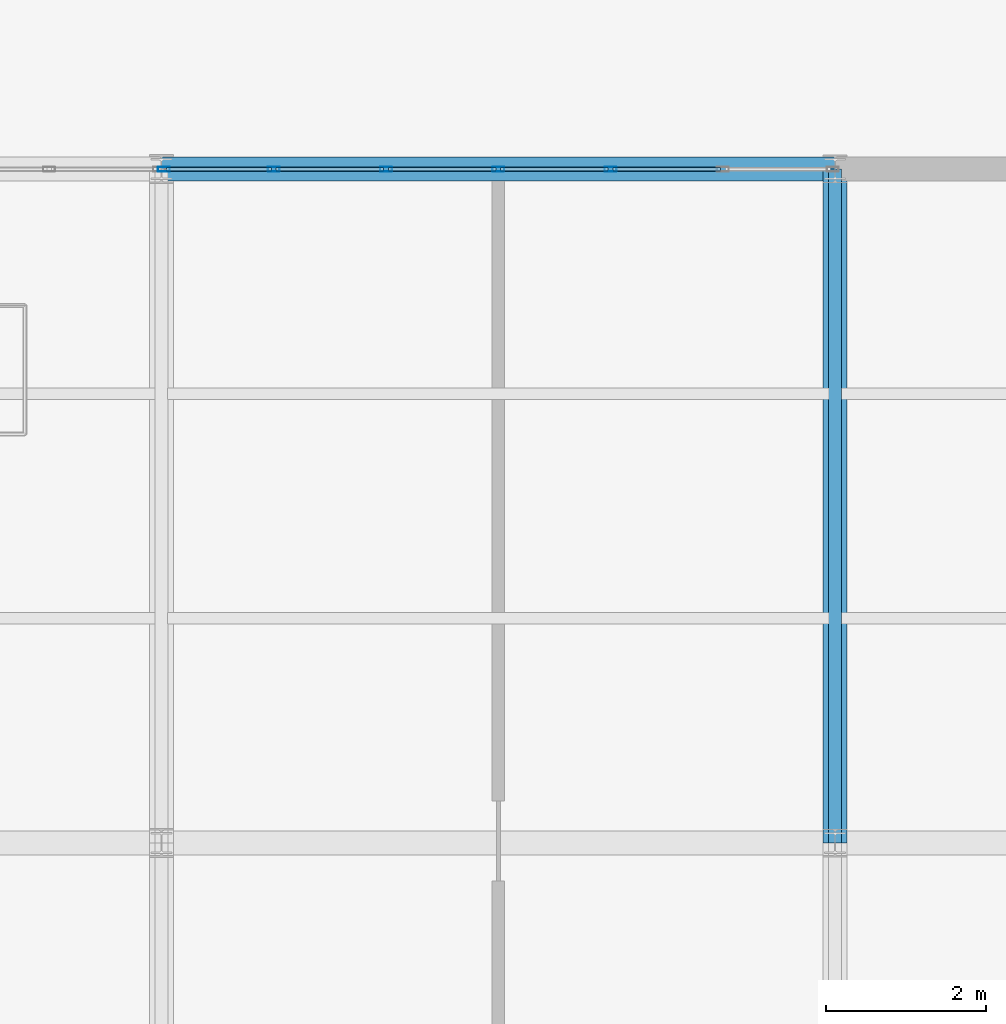
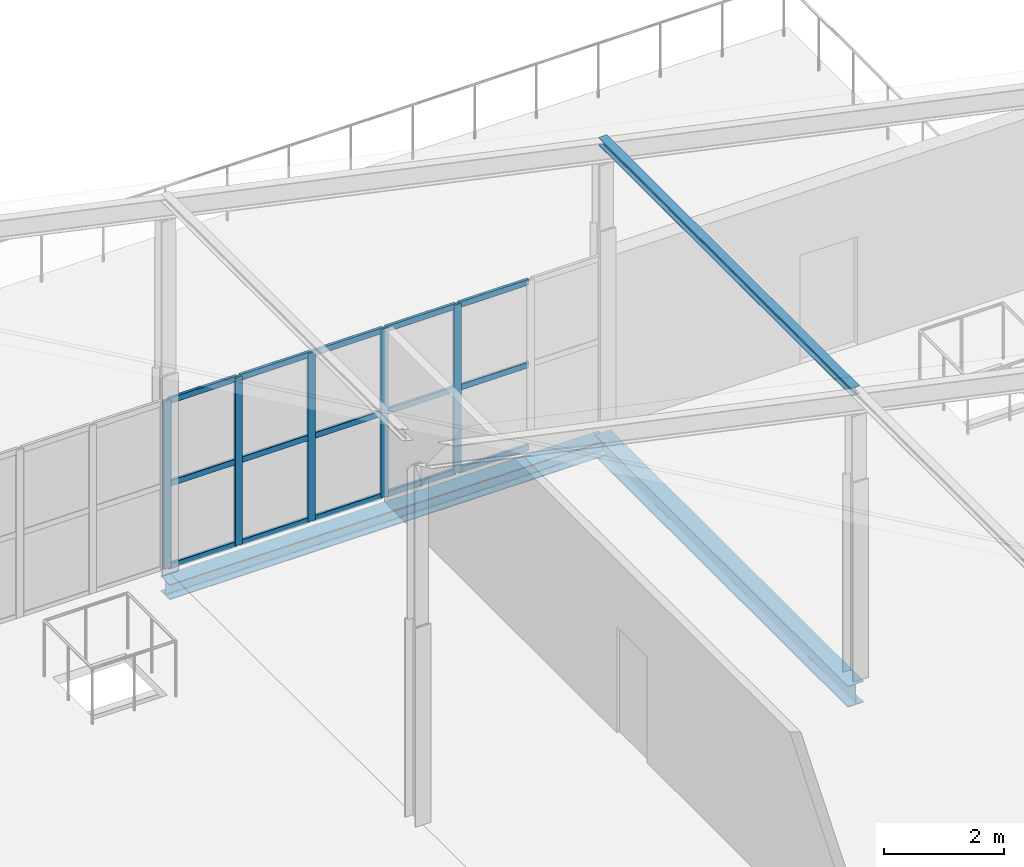
# One storey, part 111 of 184: 21 members, 2 beams, 1 element without a shape of its own.
"""IFC4 building model written with IfcOpenShell, lengths in metres."""

from ifc_helpers import new_model, si_unit, direction, frame, origin, origin_2d, place, context, subcontext, project, spatial, hollow_rectangle, i_section, extrude, material, layer, layer_set, material_profile, profile_set, type_object, element, aggregate, save


model = new_model("IFC4")

# Units and contexts
model_context = context("Model", 3, precision=1e-05, world=origin(), true_north=direction((0.0, 1.0)))
body_context = subcontext(model_context, "Body", "Model", "MODEL_VIEW")
ifc_project = project(units=[si_unit("LENGTHUNIT", "METRE"), si_unit("AREAUNIT", "SQUARE_METRE"), si_unit("VOLUMEUNIT", "CUBIC_METRE"), si_unit("PLANEANGLEUNIT", "RADIAN"), si_unit("MASSUNIT", "GRAM", prefix="KILO")], contexts=[model_context])

# Site, building, storey
site_placement = place(None, origin())
site = spatial("IfcSite", under=ifc_project, at=site_placement, CompositionType="ELEMENT")
building_placement = place(site_placement, origin())
building = spatial("IfcBuilding", under=site, at=building_placement, Name="Qalvenar Corner Mobility Hub", CompositionType="ELEMENT")
storey_placement = place(building_placement, frame((0.0, 0.0, 9.0)))
storey = spatial("IfcBuildingStorey", under=building, at=storey_placement, Name="L02", CompositionType="ELEMENT", Elevation=9.0)

# Beams
ifc_material_1 = material(Name="Steel S355", Category="steel")
ifc_material_profile_1 = material_profile(ifc_material_1, i_section(OverallWidth=0.300048828125, OverallDepth=0.43994140625, WebThickness=0.011474609375, FlangeThickness=0.02099609375, FilletRadius=0.027099609375, at=origin_2d()), Name="HEA450")
ifc_profile_set_1 = profile_set([ifc_material_profile_1], Name="Steel S355")
beam_type_1 = type_object("IfcBeamType", Name="BM-HEA450", PredefinedType="BEAM", material=ifc_profile_set_1)
beam_1_placement = place(storey_placement, frame((25.199951171875, 75.60009765625, -0.39990234375), z_axis=(0.0, 1.0, 0.0), x_axis=(-1.0, 0.0, 0.0)))
element("IfcBeam", 1, at=beam_1_placement, inside=storey, type_object=beam_type_1, Name="Primary Steel Girder GY-1858", PredefinedType="BEAM", context=body_context, shape_type="SweptSolid", body=[
    extrude(i_section(OverallWidth=0.300048828125, OverallDepth=0.43994140625, WebThickness=0.011474609375, FlangeThickness=0.02099609375, FilletRadius=0.027099609375, at=origin_2d()), origin(), (0.0, 0.0, 1.0), 8.39990234375),
])
ifc_material_profile_2 = material_profile(ifc_material_1, i_section(OverallWidth=0.300048828125, OverallDepth=0.31005859375, WebThickness=0.009033203125, FlangeThickness=0.015380859375, FilletRadius=0.027099609375, at=origin_2d()), Name="HEA320")
ifc_profile_set_2 = profile_set([ifc_material_profile_2], Name="Steel S355")
beam_type_2 = type_object("IfcBeamType", Name="BM-SPN320", PredefinedType="SPANDREL", material=ifc_profile_set_2)
beam_2_placement = place(storey_placement, frame((16.800048828125, 84.0, -0.39697265625), z_axis=(1.0, 0.0, 0.0), x_axis=(0.0, 1.0, 0.0)))
element("IfcBeam", 2, at=beam_2_placement, inside=storey, type_object=beam_type_2, Name="Primary Steel Girder GX-1837", PredefinedType="SPANDREL", context=body_context, shape_type="SweptSolid", body=[
    extrude(i_section(OverallWidth=0.300048828125, OverallDepth=0.31005859375, WebThickness=0.009033203125, FlangeThickness=0.015380859375, FilletRadius=0.027099609375, at=origin_2d()), origin(), (0.0, 0.0, 1.0), 8.39990234375),
])

# Curtain wall, members
ifc_material_2 = material(Name="Anodised Aluminium and Low-E Glazing", Category="aluminium")
ifc_layer = layer(ifc_material_2, 0.14990234375)
ifc_layer_set = layer_set([ifc_layer], Name="Anodised Aluminium and Low-E Glazing")
curtain_wall_type = type_object("IfcCurtainWallType", Name="CW-CYC-84X39", PredefinedType="NOTDEFINED", material=ifc_layer_set)
curtain_wall_placement = place(storey_placement, origin())
curtain_wall = element("IfcCurtainWall", 3, at=curtain_wall_placement, inside=storey, type_object=curtain_wall_type, Name="Glazed Curtain Wall CW-V5-L02-N2", PredefinedType="NOTDEFINED")
ifc_material_3 = material(Name="Anodised Aluminium 6063-T6", Category="aluminium")
ifc_material_profile_3 = material_profile(ifc_material_3, hollow_rectangle(XDim=0.06005859375, YDim=0.14990234375, WallThickness=0.00390625, InnerFilletRadius=0.00390625, OuterFilletRadius=0.008056640625, at=origin_2d()), Name="RHS150x60x4")
ifc_profile_set_3 = profile_set([ifc_material_profile_3], Name="Anodised Aluminium 6063-T6")
member_type_1 = type_object("IfcMemberType", Name="CW-MUL150", PredefinedType="MULLION", material=ifc_profile_set_3)
member_1_placement = place(storey_placement, frame((22.39990234375, 84.0, 0.0), z_axis=(0.0, 0.0, 1.0), x_axis=(0.0, -1.0, 0.0)))
member_1 = element("IfcMember", 4, at=member_1_placement, type_object=member_type_1, Name="CW-08 mullion 3", PredefinedType="MULLION", context=body_context, shape_type="SweptSolid", body=[
    extrude(hollow_rectangle(XDim=0.06005859375, YDim=0.14990234375, WallThickness=0.00390625, InnerFilletRadius=0.00390625, OuterFilletRadius=0.008056640625, at=origin_2d()), origin(), (0.0, 0.0, 1.0), 3.409912109375),
])
member_2_placement = place(storey_placement, frame((21.0, 84.0, 0.0), z_axis=(0.0, 0.0, 1.0), x_axis=(0.0, -1.0, 0.0)))
member_2 = element("IfcMember", 5, at=member_2_placement, type_object=member_type_1, Name="CW-08 mullion 4", PredefinedType="MULLION", context=body_context, shape_type="SweptSolid", body=[
    extrude(hollow_rectangle(XDim=0.06005859375, YDim=0.14990234375, WallThickness=0.00390625, InnerFilletRadius=0.00390625, OuterFilletRadius=0.008056640625, at=origin_2d()), origin(), (0.0, 0.0, 1.0), 3.409912109375),
])
member_3_placement = place(storey_placement, frame((19.60009765625, 84.0, 0.0), z_axis=(0.0, 0.0, 1.0), x_axis=(0.0, -1.0, 0.0)))
member_3 = element("IfcMember", 6, at=member_3_placement, type_object=member_type_1, Name="CW-08 mullion 5", PredefinedType="MULLION", context=body_context, shape_type="SweptSolid", body=[
    extrude(hollow_rectangle(XDim=0.06005859375, YDim=0.14990234375, WallThickness=0.00390625, InnerFilletRadius=0.00390625, OuterFilletRadius=0.008056640625, at=origin_2d()), origin(), (0.0, 0.0, 1.0), 3.409912109375),
])
member_4_placement = place(storey_placement, frame((18.199951171875, 84.0, 0.0), z_axis=(0.0, 0.0, 1.0), x_axis=(0.0, -1.0, 0.0)))
member_4 = element("IfcMember", 7, at=member_4_placement, type_object=member_type_1, Name="CW-08 mullion 6", PredefinedType="MULLION", context=body_context, shape_type="SweptSolid", body=[
    extrude(hollow_rectangle(XDim=0.06005859375, YDim=0.14990234375, WallThickness=0.00390625, InnerFilletRadius=0.00390625, OuterFilletRadius=0.008056640625, at=origin_2d()), origin(), (0.0, 0.0, 1.0), 3.409912109375),
])
member_5_placement = place(storey_placement, frame((16.830078125, 84.0, 0.0), z_axis=(0.0, 0.0, 1.0), x_axis=(0.0, -1.0, 0.0)))
member_5 = element("IfcMember", 8, at=member_5_placement, type_object=member_type_1, Name="CW-08 mullion 7", PredefinedType="MULLION", context=body_context, shape_type="SweptSolid", body=[
    extrude(hollow_rectangle(XDim=0.06005859375, YDim=0.14990234375, WallThickness=0.00390625, InnerFilletRadius=0.00390625, OuterFilletRadius=0.008056640625, at=origin_2d()), origin(), (0.0, 0.0, 1.0), 3.409912109375),
])
ifc_material_profile_4 = material_profile(ifc_material_3, hollow_rectangle(XDim=0.054931640625, YDim=0.1201171875, WallThickness=0.00341796875, InnerFilletRadius=0.00341796875, OuterFilletRadius=0.007080078125, at=origin_2d()), Name="RHS120x55x3.5")
ifc_profile_set_4 = profile_set([ifc_material_profile_4], Name="Anodised Aluminium 6063-T6")
member_type_2 = type_object("IfcMemberType", Name="CW-TRN120", PredefinedType="USERDEFINED", material=ifc_profile_set_4)
member_6_placement = place(storey_placement, frame((23.77001953125, 84.0, 0.027587890625), z_axis=(-1.0, 0.0, 0.0), x_axis=(0.0, -1.0, 0.0)))
member_6 = element("IfcMember", 9, at=member_6_placement, type_object=member_type_2, Name="CW-08 transom 2.1", ObjectType="TRANSOM", PredefinedType="USERDEFINED", context=body_context, shape_type="SweptSolid", body=[
    extrude(hollow_rectangle(XDim=0.054931640625, YDim=0.1201171875, WallThickness=0.00341796875, InnerFilletRadius=0.00341796875, OuterFilletRadius=0.007080078125, at=origin_2d()), origin(), (0.0, 0.0, 1.0), 1.340087890625),
])
member_7_placement = place(storey_placement, frame((23.77001953125, 84.0, 1.705078125), z_axis=(-1.0, 0.0, 0.0), x_axis=(0.0, -1.0, 0.0)))
member_7 = element("IfcMember", 10, at=member_7_placement, type_object=member_type_2, Name="CW-08 transom 2.2", ObjectType="TRANSOM", PredefinedType="USERDEFINED", context=body_context, shape_type="SweptSolid", body=[
    extrude(hollow_rectangle(XDim=0.054931640625, YDim=0.1201171875, WallThickness=0.00341796875, InnerFilletRadius=0.00341796875, OuterFilletRadius=0.007080078125, at=origin_2d()), origin(), (0.0, 0.0, 1.0), 1.340087890625),
])
member_8_placement = place(storey_placement, frame((23.77001953125, 84.0, 3.382568359375), z_axis=(-1.0, 0.0, 0.0), x_axis=(0.0, -1.0, 0.0)))
member_8 = element("IfcMember", 11, at=member_8_placement, type_object=member_type_2, Name="CW-08 transom 2.3", ObjectType="TRANSOM", PredefinedType="USERDEFINED", context=body_context, shape_type="SweptSolid", body=[
    extrude(hollow_rectangle(XDim=0.054931640625, YDim=0.1201171875, WallThickness=0.00341796875, InnerFilletRadius=0.00341796875, OuterFilletRadius=0.007080078125, at=origin_2d()), origin(), (0.0, 0.0, 1.0), 1.340087890625),
])
member_9_placement = place(storey_placement, frame((22.3701171875, 84.0, 0.027587890625), z_axis=(-1.0, 0.0, 0.0), x_axis=(0.0, -1.0, 0.0)))
member_9 = element("IfcMember", 12, at=member_9_placement, type_object=member_type_2, Name="CW-08 transom 3.1", ObjectType="TRANSOM", PredefinedType="USERDEFINED", context=body_context, shape_type="SweptSolid", body=[
    extrude(hollow_rectangle(XDim=0.054931640625, YDim=0.1201171875, WallThickness=0.00341796875, InnerFilletRadius=0.00341796875, OuterFilletRadius=0.007080078125, at=origin_2d()), origin(), (0.0, 0.0, 1.0), 1.340087890625),
])
member_10_placement = place(storey_placement, frame((22.3701171875, 84.0, 1.705078125), z_axis=(-1.0, 0.0, 0.0), x_axis=(0.0, -1.0, 0.0)))
member_10 = element("IfcMember", 13, at=member_10_placement, type_object=member_type_2, Name="CW-08 transom 3.2", ObjectType="TRANSOM", PredefinedType="USERDEFINED", context=body_context, shape_type="SweptSolid", body=[
    extrude(hollow_rectangle(XDim=0.054931640625, YDim=0.1201171875, WallThickness=0.00341796875, InnerFilletRadius=0.00341796875, OuterFilletRadius=0.007080078125, at=origin_2d()), origin(), (0.0, 0.0, 1.0), 1.340087890625),
])
member_11_placement = place(storey_placement, frame((22.3701171875, 84.0, 3.382568359375), z_axis=(-1.0, 0.0, 0.0), x_axis=(0.0, -1.0, 0.0)))
member_11 = element("IfcMember", 14, at=member_11_placement, type_object=member_type_2, Name="CW-08 transom 3.3", ObjectType="TRANSOM", PredefinedType="USERDEFINED", context=body_context, shape_type="SweptSolid", body=[
    extrude(hollow_rectangle(XDim=0.054931640625, YDim=0.1201171875, WallThickness=0.00341796875, InnerFilletRadius=0.00341796875, OuterFilletRadius=0.007080078125, at=origin_2d()), origin(), (0.0, 0.0, 1.0), 1.340087890625),
])
member_12_placement = place(storey_placement, frame((20.969970703125, 84.0, 0.027587890625), z_axis=(-1.0, 0.0, 0.0), x_axis=(0.0, -1.0, 0.0)))
member_12 = element("IfcMember", 15, at=member_12_placement, type_object=member_type_2, Name="CW-08 transom 4.1", ObjectType="TRANSOM", PredefinedType="USERDEFINED", context=body_context, shape_type="SweptSolid", body=[
    extrude(hollow_rectangle(XDim=0.054931640625, YDim=0.1201171875, WallThickness=0.00341796875, InnerFilletRadius=0.00341796875, OuterFilletRadius=0.007080078125, at=origin_2d()), origin(), (0.0, 0.0, 1.0), 1.340087890625),
])
member_13_placement = place(storey_placement, frame((20.969970703125, 84.0, 1.705078125), z_axis=(-1.0, 0.0, 0.0), x_axis=(0.0, -1.0, 0.0)))
member_13 = element("IfcMember", 16, at=member_13_placement, type_object=member_type_2, Name="CW-08 transom 4.2", ObjectType="TRANSOM", PredefinedType="USERDEFINED", context=body_context, shape_type="SweptSolid", body=[
    extrude(hollow_rectangle(XDim=0.054931640625, YDim=0.1201171875, WallThickness=0.00341796875, InnerFilletRadius=0.00341796875, OuterFilletRadius=0.007080078125, at=origin_2d()), origin(), (0.0, 0.0, 1.0), 1.340087890625),
])
member_14_placement = place(storey_placement, frame((20.969970703125, 84.0, 3.382568359375), z_axis=(-1.0, 0.0, 0.0), x_axis=(0.0, -1.0, 0.0)))
member_14 = element("IfcMember", 17, at=member_14_placement, type_object=member_type_2, Name="CW-08 transom 4.3", ObjectType="TRANSOM", PredefinedType="USERDEFINED", context=body_context, shape_type="SweptSolid", body=[
    extrude(hollow_rectangle(XDim=0.054931640625, YDim=0.1201171875, WallThickness=0.00341796875, InnerFilletRadius=0.00341796875, OuterFilletRadius=0.007080078125, at=origin_2d()), origin(), (0.0, 0.0, 1.0), 1.340087890625),
])
member_15_placement = place(storey_placement, frame((19.570068359375, 84.0, 0.027587890625), z_axis=(-1.0, 0.0, 0.0), x_axis=(0.0, -1.0, 0.0)))
member_15 = element("IfcMember", 18, at=member_15_placement, type_object=member_type_2, Name="CW-08 transom 5.1", ObjectType="TRANSOM", PredefinedType="USERDEFINED", context=body_context, shape_type="SweptSolid", body=[
    extrude(hollow_rectangle(XDim=0.054931640625, YDim=0.1201171875, WallThickness=0.00341796875, InnerFilletRadius=0.00341796875, OuterFilletRadius=0.007080078125, at=origin_2d()), origin(), (0.0, 0.0, 1.0), 1.340087890625),
])
member_16_placement = place(storey_placement, frame((19.570068359375, 84.0, 1.705078125), z_axis=(-1.0, 0.0, 0.0), x_axis=(0.0, -1.0, 0.0)))
member_16 = element("IfcMember", 19, at=member_16_placement, type_object=member_type_2, Name="CW-08 transom 5.2", ObjectType="TRANSOM", PredefinedType="USERDEFINED", context=body_context, shape_type="SweptSolid", body=[
    extrude(hollow_rectangle(XDim=0.054931640625, YDim=0.1201171875, WallThickness=0.00341796875, InnerFilletRadius=0.00341796875, OuterFilletRadius=0.007080078125, at=origin_2d()), origin(), (0.0, 0.0, 1.0), 1.340087890625),
])
member_17_placement = place(storey_placement, frame((19.570068359375, 84.0, 3.382568359375), z_axis=(-1.0, 0.0, 0.0), x_axis=(0.0, -1.0, 0.0)))
member_17 = element("IfcMember", 20, at=member_17_placement, type_object=member_type_2, Name="CW-08 transom 5.3", ObjectType="TRANSOM", PredefinedType="USERDEFINED", context=body_context, shape_type="SweptSolid", body=[
    extrude(hollow_rectangle(XDim=0.054931640625, YDim=0.1201171875, WallThickness=0.00341796875, InnerFilletRadius=0.00341796875, OuterFilletRadius=0.007080078125, at=origin_2d()), origin(), (0.0, 0.0, 1.0), 1.340087890625),
])
member_18_placement = place(storey_placement, frame((18.169921875, 84.0, 0.027587890625), z_axis=(-1.0, 0.0, 0.0), x_axis=(0.0, -1.0, 0.0)))
member_18 = element("IfcMember", 21, at=member_18_placement, type_object=member_type_2, Name="CW-08 transom 6.1", ObjectType="TRANSOM", PredefinedType="USERDEFINED", context=body_context, shape_type="SweptSolid", body=[
    extrude(hollow_rectangle(XDim=0.054931640625, YDim=0.1201171875, WallThickness=0.00341796875, InnerFilletRadius=0.00341796875, OuterFilletRadius=0.007080078125, at=origin_2d()), origin(), (0.0, 0.0, 1.0), 1.309814453125),
])
member_19_placement = place(storey_placement, frame((18.169921875, 84.0, 1.705078125), z_axis=(-1.0, 0.0, 0.0), x_axis=(0.0, -1.0, 0.0)))
member_19 = element("IfcMember", 22, at=member_19_placement, type_object=member_type_2, Name="CW-08 transom 6.2", ObjectType="TRANSOM", PredefinedType="USERDEFINED", context=body_context, shape_type="SweptSolid", body=[
    extrude(hollow_rectangle(XDim=0.054931640625, YDim=0.1201171875, WallThickness=0.00341796875, InnerFilletRadius=0.00341796875, OuterFilletRadius=0.007080078125, at=origin_2d()), origin(), (0.0, 0.0, 1.0), 1.309814453125),
])
member_20_placement = place(storey_placement, frame((18.169921875, 84.0, 3.382568359375), z_axis=(-1.0, 0.0, 0.0), x_axis=(0.0, -1.0, 0.0)))
member_20 = element("IfcMember", 23, at=member_20_placement, type_object=member_type_2, Name="CW-08 transom 6.3", ObjectType="TRANSOM", PredefinedType="USERDEFINED", context=body_context, shape_type="SweptSolid", body=[
    extrude(hollow_rectangle(XDim=0.054931640625, YDim=0.1201171875, WallThickness=0.00341796875, InnerFilletRadius=0.00341796875, OuterFilletRadius=0.007080078125, at=origin_2d()), origin(), (0.0, 0.0, 1.0), 1.309814453125),
])
aggregate(curtain_wall, [member_1, member_2, member_3, member_4, member_5, member_6, member_7, member_8, member_9, member_10, member_11, member_12, member_13, member_14, member_15, member_16, member_17, member_18, member_19, member_20])

# Member
ifc_material_profile_5 = material_profile(ifc_material_1, i_section(OverallWidth=0.159912109375, OverallDepth=0.159912109375, WebThickness=0.008056640625, FlangeThickness=0.012939453125, FilletRadius=0.014892578125, at=origin_2d()), Name="HEB160")
ifc_profile_set_5 = profile_set([ifc_material_profile_5], Name="Steel S355")
member_type_3 = type_object("IfcMemberType", Name="PR-RHS160", PredefinedType="PURLIN", material=ifc_profile_set_5)
member_21_placement = place(storey_placement, frame((25.199951171875, 75.60009765625, 5.75), z_axis=(0.0, 1.0, 0.0), x_axis=(-1.0, 0.0, 0.0)))
element("IfcMember", 24, at=member_21_placement, inside=storey, type_object=member_type_3, Name="Bicycle Hall Roof Purlin PR-V5-5-25", PredefinedType="PURLIN", context=body_context, shape_type="SweptSolid", body=[
    extrude(i_section(OverallWidth=0.159912109375, OverallDepth=0.159912109375, WebThickness=0.008056640625, FlangeThickness=0.012939453125, FilletRadius=0.014892578125, at=origin_2d()), origin(), (0.0, 0.0, 1.0), 8.39990234375),
])

save(model, "model.ifc")
